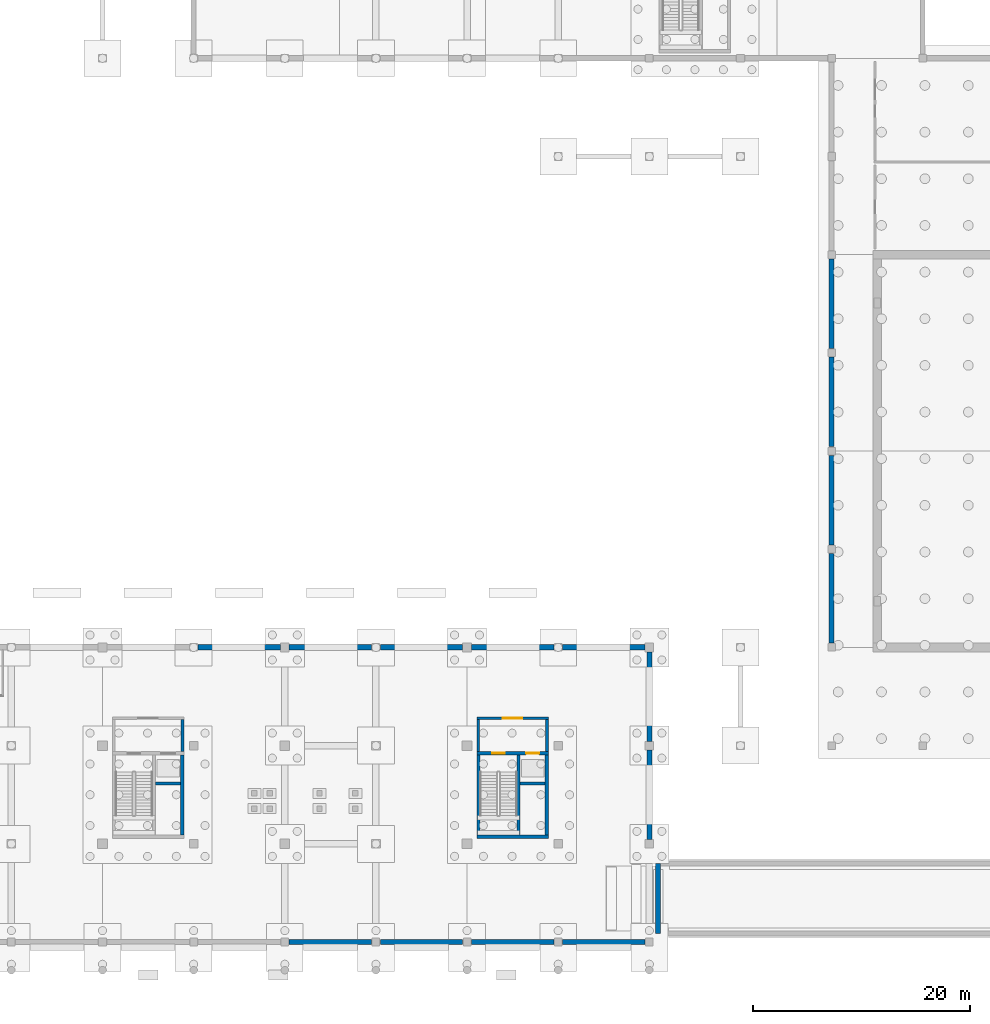
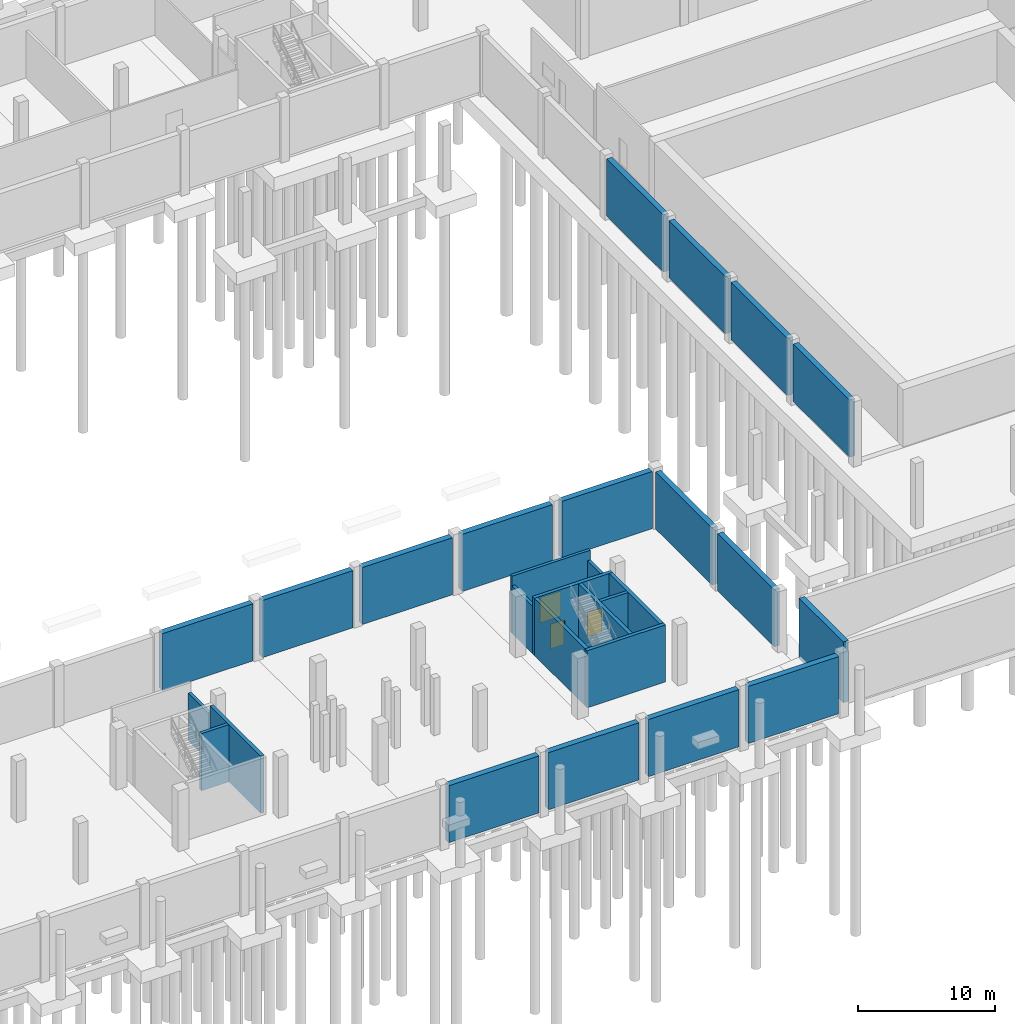
# One storey, part 8 of 18: 28 walls, 3 doors, 3 openings.
"""IFC4 building model written with IfcOpenShell, lengths in metres."""

from ifc_helpers import new_model, si_unit, direction, frame, frame_2d, origin, place, context, subcontext, project, spatial, rectangle, extrude, material, layer, layer_set, type_object, element, fill, save


model = new_model("IFC4")

# Units and contexts
model_context = context("Model", 3, precision=1e-05, world=origin(), true_north=direction((0.0, 1.0)))
body_context = subcontext(model_context, "Body", "Model", "MODEL_VIEW")
ifc_project = project(units=[si_unit("LENGTHUNIT", "METRE"), si_unit("AREAUNIT", "SQUARE_METRE"), si_unit("VOLUMEUNIT", "CUBIC_METRE"), si_unit("PLANEANGLEUNIT", "RADIAN"), si_unit("MASSUNIT", "GRAM", prefix="KILO")], contexts=[model_context])

# Site, building, storey
site_placement = place(None, origin())
site = spatial("IfcSite", under=ifc_project, at=site_placement, CompositionType="ELEMENT")
building_placement = place(site_placement, origin())
building = spatial("IfcBuilding", under=site, at=building_placement, Name="Khurvash Pelagic Aquarium", CompositionType="ELEMENT")
storey_placement = place(building_placement, frame((0.0, 0.0, -5.39990234375)))
storey = spatial("IfcBuildingStorey", under=building, at=storey_placement, Name="B1", CompositionType="ELEMENT", Elevation=-5.39990234375)

# Wall
ifc_material_1 = material(Name="AAC blockwork", Category="masonry")
ifc_layer_1 = layer(ifc_material_1, 0.25)
ifc_layer_set_1 = layer_set([ifc_layer_1], Name="AAC blockwork")
wall_type_1 = type_object("IfcWallType", Name="PW-250", PredefinedType="PARTITIONING", material=ifc_layer_set_1)
wall_1_placement = place(storey_placement, frame((66.175048828125, 20.14990234375, 0.0), z_axis=(0.0, 0.0, 1.0), x_axis=(0.0, 1.0, 0.0)))
element("IfcWall", 1, at=wall_1_placement, inside=storey, type_object=wall_type_1, Name="B1 Core C2 Lobby East Fire Wall PW-250", PredefinedType="PARTITIONING", context=body_context, shape_type="SweptSolid", body=[
    extrude(rectangle(XDim=2.9501953125, YDim=0.25, at=frame_2d((1.47509765625, 0.0))), origin(), (0.0, 0.0, 1.0), 4.22998046875),
])

# Wall, opening, door
wall_2_placement = place(storey_placement, frame((93.300048828125, 23.22509765625, 0.0), z_axis=(0.0, 0.0, 1.0), x_axis=(1.0, 0.0, 0.0)))
wall_2 = element("IfcWall", 2, at=wall_2_placement, inside=storey, type_object=wall_type_1, Name="B1 Core C3 Lobby Front Fire Wall PW-250", PredefinedType="PARTITIONING", context=body_context, shape_type="SweptSolid", body=[
    extrude(rectangle(XDim=6.599853515625, YDim=0.25, at=frame_2d((3.2998046875, 0.0))), origin(), (0.0, 0.0, 1.0), 5.079833984375),
])
opening_1_placement = place(wall_2_placement, frame((2.39990234375, 0.0, 0.0)))
opening_1 = element("IfcOpeningElement", 3, at=opening_1_placement, cuts=wall_2, Name="Opening FD-02", PredefinedType="OPENING", context=body_context, shape_type="SweptSolid", body=[
    extrude(rectangle(XDim=1.800048828125, YDim=2.25, at=frame_2d((0.89990234375, 1.125))), frame((0.0, 0.135009765625, 0.0), z_axis=(0.0, -1.0, 0.0), x_axis=(1.0, 0.0, 0.0)), (0.0, 0.0, 1.0), 0.27001953125),
])
ifc_material_2 = material(Name="Galvanised steel double fire door", Category="steel")
door_type_1 = type_object("IfcDoorType", Name="FD-02", OperationType="DOUBLE_DOOR_SINGLE_SWING", PredefinedType="DOOR", material=ifc_material_2)
door_1_placement = place(opening_1_placement, origin())
door_1 = element("IfcDoor", 4, at=door_1_placement, inside=storey, type_object=door_type_1, Name="DR-0028", OperationType="DOUBLE_DOOR_SINGLE_SWING", OverallHeight=2.25, OverallWidth=1.800048828125, PredefinedType="DOOR", context=body_context, shape_type="SweptSolid", body=[
    extrude(rectangle(XDim=1.800048828125, YDim=2.25, at=frame_2d((0.89990234375, 1.125))), frame((0.0, 0.02490234375, 0.0), z_axis=(0.0, -1.0, 0.0), x_axis=(1.0, 0.0, 0.0)), (0.0, 0.0, 1.0), 0.050048828125),
])
fill(opening_1, door_1)

# Walls
for number, where, z_axis, x_axis, name in (
    (5, (93.425048828125, 20.14990234375, 0.0), (0.0, 0.0, 1.0), (0.0, 1.0, 0.0), "B1 Core C3 Lobby West Fire Wall PW-250"),
    (6, (99.77490234375, 20.14990234375, 0.0), (0.0, 0.0, 1.0), (0.0, 1.0, 0.0), "B1 Core C3 Lobby East Fire Wall PW-250"),
):
    element("IfcWall", number, at=place(storey_placement, frame(where, z_axis=z_axis, x_axis=x_axis)), inside=storey, type_object=wall_type_1, Name=name, PredefinedType="PARTITIONING", context=body_context, shape_type="SweptSolid", body=[
        extrude(rectangle(XDim=2.9501953125, YDim=0.25, at=frame_2d((1.47509765625, 0.0))), origin(), (0.0, 0.0, 1.0), 4.22998046875),
    ])
ifc_material_3 = material(Name="Concrete C40/50", Category="concrete")
ifc_layer_2 = layer(ifc_material_3, 0.449951171875)
ifc_layer_set_2 = layer_set([ifc_layer_2], Name="Concrete C40/50")
wall_type_2 = type_object("IfcWallType", Name="RW-450", PredefinedType="USERDEFINED", material=ifc_layer_set_2)
for number, where, z_axis, x_axis, name in (
    (7, (109.199951171875, 29.35009765625, 0.0), (0.0, 0.0, 1.0), (0.0, -1.0, 0.0), "B1 Perimeter Waterproofed Retaining Wall RW-450"),
    (8, (109.199951171875, 20.300048828125, 0.0), (0.0, 0.0, 1.0), (0.0, -1.0, 0.0), "B1 Perimeter Waterproofed Retaining Wall RW-450"),
    (9, (126.0, 30.14990234375, 0.0), (0.0, 0.0, 1.0), (0.0, 1.0, 0.0), "B1 Perimeter Waterproofed Retaining Wall RW-450"),
    (10, (126.0, 39.199951171875, 0.0), (0.0, 0.0, 1.0), (0.0, 1.0, 0.0), "B1 Perimeter Waterproofed Retaining Wall RW-450"),
    (11, (126.0, 48.25, 0.0), (0.0, 0.0, 1.0), (0.0, 1.0, 0.0), "B1 Perimeter Waterproofed Retaining Wall RW-450"),
    (12, (126.0, 57.300048828125, 0.0), (0.0, 0.0, 1.0), (0.0, 1.0, 0.0), "B1 Perimeter Waterproofed Retaining Wall RW-450"),
):
    element("IfcWall", number, at=place(storey_placement, frame(where, z_axis=z_axis, x_axis=x_axis)), inside=storey, type_object=wall_type_2, Name=name, ObjectType="RETAINING WALL", PredefinedType="USERDEFINED", context=body_context, shape_type="SweptSolid", body=[
        extrude(rectangle(XDim=8.25, YDim=0.449951171875, at=frame_2d((4.125, 0.0))), origin(), (0.0, 0.0, 1.0), 5.079833984375),
    ])
wall_3_placement = place(storey_placement, frame((110.010009765625, 3.3798828125, 0.0), z_axis=(0.0, 0.0, 1.0), x_axis=(0.0, 1.0, 0.0)))
element("IfcWall", 13, at=wall_3_placement, inside=storey, type_object=wall_type_2, Name="B1 Ramp Throat End Wall RW-450", ObjectType="RETAINING WALL", PredefinedType="USERDEFINED", context=body_context, shape_type="SweptSolid", body=[
    extrude(rectangle(XDim=6.440185546875, YDim=0.449951171875, at=frame_2d((3.22021484375, 0.0))), origin(), (0.0, 0.0, 1.0), 5.39990234375),
])
ifc_material_4 = material(Name="Water-retaining concrete C40/50", Category="concrete")
ifc_layer_3 = layer(ifc_material_4, 0.5)
ifc_layer_set_3 = layer_set([ifc_layer_3], Name="Water-retaining concrete C40/50")
wall_type_3 = type_object("IfcWallType", Name="RW-500", PredefinedType="USERDEFINED", material=ifc_layer_set_3)
wall_4_placement = place(storey_placement, frame((108.800048828125, 2.60009765625, 0.0), z_axis=(0.0, 0.0, 1.0), x_axis=(-1.0, 0.0, 0.0)))
element("IfcWall", 14, at=wall_4_placement, inside=storey, type_object=wall_type_3, Name="B1 Perimeter Waterproofed Retaining Wall RW-500", ObjectType="RETAINING WALL", PredefinedType="USERDEFINED", context=body_context, shape_type="SweptSolid", body=[
    extrude(rectangle(XDim=7.60009765625, YDim=0.5, at=frame_2d((3.800048828125, 0.0))), origin(), (0.0, 0.0, 1.0), 5.079833984375),
])
wall_5_placement = place(storey_placement, frame((100.39990234375, 2.60009765625, 0.0), z_axis=(0.0, 0.0, 1.0), x_axis=(-1.0, 0.0, 0.0)))
element("IfcWall", 15, at=wall_5_placement, inside=storey, type_object=wall_type_3, Name="B1 Perimeter Waterproofed Retaining Wall RW-500", ObjectType="RETAINING WALL", PredefinedType="USERDEFINED", context=body_context, shape_type="SweptSolid", body=[
    extrude(rectangle(XDim=7.599853515625, YDim=0.5, at=frame_2d((3.7998046875, 0.0))), origin(), (0.0, 0.0, 1.0), 5.079833984375),
])
for number, where, z_axis, x_axis, name in (
    (16, (92.0, 2.60009765625, 0.0), (0.0, 0.0, 1.0), (-1.0, 0.0, 0.0), "B1 Perimeter Waterproofed Retaining Wall RW-500"),
    (17, (83.60009765625, 2.60009765625, 0.0), (0.0, 0.0, 1.0), (-1.0, 0.0, 0.0), "B1 Perimeter Waterproofed Retaining Wall RW-500"),
):
    element("IfcWall", number, at=place(storey_placement, frame(where, z_axis=z_axis, x_axis=x_axis)), inside=storey, type_object=wall_type_3, Name=name, ObjectType="RETAINING WALL", PredefinedType="USERDEFINED", context=body_context, shape_type="SweptSolid", body=[
        extrude(rectangle(XDim=7.60009765625, YDim=0.5, at=frame_2d((3.800048828125, 0.0))), origin(), (0.0, 0.0, 1.0), 5.079833984375),
    ])
wall_6_placement = place(storey_placement, frame((67.60009765625, 29.75, 0.0), z_axis=(0.0, 0.0, 1.0), x_axis=(1.0, 0.0, 0.0)))
element("IfcWall", 18, at=wall_6_placement, inside=storey, type_object=wall_type_3, Name="B1 Perimeter Waterproofed Retaining Wall RW-500", ObjectType="RETAINING WALL", PredefinedType="USERDEFINED", context=body_context, shape_type="SweptSolid", body=[
    extrude(rectangle(XDim=7.599853515625, YDim=0.5, at=frame_2d((3.7998046875, 0.0))), origin(), (0.0, 0.0, 1.0), 5.079833984375),
])
for number, where, z_axis, x_axis, name in (
    (19, (76.0, 29.75, 0.0), (0.0, 0.0, 1.0), (1.0, 0.0, 0.0), "B1 Perimeter Waterproofed Retaining Wall RW-500"),
    (20, (84.39990234375, 29.75, 0.0), (0.0, 0.0, 1.0), (1.0, 0.0, 0.0), "B1 Perimeter Waterproofed Retaining Wall RW-500"),
):
    element("IfcWall", number, at=place(storey_placement, frame(where, z_axis=z_axis, x_axis=x_axis)), inside=storey, type_object=wall_type_3, Name=name, ObjectType="RETAINING WALL", PredefinedType="USERDEFINED", context=body_context, shape_type="SweptSolid", body=[
        extrude(rectangle(XDim=7.60009765625, YDim=0.5, at=frame_2d((3.800048828125, 0.0))), origin(), (0.0, 0.0, 1.0), 5.079833984375),
    ])
wall_7_placement = place(storey_placement, frame((92.800048828125, 29.75, 0.0), z_axis=(0.0, 0.0, 1.0), x_axis=(1.0, 0.0, 0.0)))
element("IfcWall", 21, at=wall_7_placement, inside=storey, type_object=wall_type_3, Name="B1 Perimeter Waterproofed Retaining Wall RW-500", ObjectType="RETAINING WALL", PredefinedType="USERDEFINED", context=body_context, shape_type="SweptSolid", body=[
    extrude(rectangle(XDim=7.599853515625, YDim=0.5, at=frame_2d((3.7998046875, 0.0))), origin(), (0.0, 0.0, 1.0), 5.079833984375),
])
wall_8_placement = place(storey_placement, frame((101.199951171875, 29.75, 0.0), z_axis=(0.0, 0.0, 1.0), x_axis=(1.0, 0.0, 0.0)))
element("IfcWall", 22, at=wall_8_placement, inside=storey, type_object=wall_type_3, Name="B1 Perimeter Waterproofed Retaining Wall RW-500", ObjectType="RETAINING WALL", PredefinedType="USERDEFINED", context=body_context, shape_type="SweptSolid", body=[
    extrude(rectangle(XDim=7.60009765625, YDim=0.5, at=frame_2d((3.800048828125, 0.0))), origin(), (0.0, 0.0, 1.0), 5.079833984375),
])
ifc_layer_4 = layer(ifc_material_3, 0.27490234375)
ifc_layer_set_4 = layer_set([ifc_layer_4], Name="Concrete C40/50")
wall_type_4 = type_object("IfcWallType", Name="SW-275", PredefinedType="SHEAR", material=ifc_layer_set_4)
for number, where, z_axis, x_axis, name in (
    (23, (63.699951171875, 17.212890625, 0.0), (0.0, 0.0, 1.0), (1.0, 0.0, 0.0), "B1 Lift PL-01 Shaft Rear Shear Wall SW-275"),
    (24, (97.300048828125, 17.212890625, 0.0), (0.0, 0.0, 1.0), (1.0, 0.0, 0.0), "B1 Lift FL-02 Shaft Rear Shear Wall SW-275"),
):
    element("IfcWall", number, at=place(storey_placement, frame(where, z_axis=z_axis, x_axis=x_axis)), inside=storey, type_object=wall_type_4, Name=name, PredefinedType="SHEAR", context=body_context, shape_type="SweptSolid", body=[
        extrude(rectangle(XDim=2.300048828125, YDim=0.27490234375, at=frame_2d((1.14990234375, 0.0))), origin(), (0.0, 0.0, 1.0), 5.079833984375),
    ])
ifc_layer_5 = layer(ifc_material_3, 0.300048828125)
ifc_layer_set_5 = layer_set([ifc_layer_5], Name="Concrete C40/50")
wall_type_5 = type_object("IfcWallType", Name="SW-300", PredefinedType="SHEAR", material=ifc_layer_set_5)
wall_9_placement = place(storey_placement, frame((66.14990234375, 12.449951171875, 0.0), z_axis=(0.0, 0.0, 1.0), x_axis=(0.0, 1.0, 0.0)))
element("IfcWall", 25, at=wall_9_placement, inside=storey, type_object=wall_type_5, Name="B1 Core C2 East Shear Wall SW-300", PredefinedType="SHEAR", context=body_context, shape_type="SweptSolid", body=[
    extrude(rectangle(XDim=7.400146484375, YDim=0.300048828125, at=frame_2d((3.7001953125, 0.0))), origin(), (0.0, 0.0, 1.0), 5.079833984375),
])
wall_10_placement = place(storey_placement, frame((93.300048828125, 12.300048828125, 0.0), z_axis=(0.0, 0.0, 1.0), x_axis=(1.0, 0.0, 0.0)))
element("IfcWall", 26, at=wall_10_placement, inside=storey, type_object=wall_type_5, Name="B1 Core C3 South Shear Wall SW-300", PredefinedType="SHEAR", context=body_context, shape_type="SweptSolid", body=[
    extrude(rectangle(XDim=6.599853515625, YDim=0.300048828125, at=frame_2d((3.2998046875, 0.0))), origin(), (0.0, 0.0, 1.0), 5.079833984375),
])

# Wall, openings, doors
wall_11_placement = place(storey_placement, frame((93.300048828125, 20.0, 0.0), z_axis=(0.0, 0.0, 1.0), x_axis=(1.0, 0.0, 0.0)))
wall_11 = element("IfcWall", 27, at=wall_11_placement, inside=storey, type_object=wall_type_5, Name="B1 Core C3 North Shear Wall SW-300", PredefinedType="SHEAR", context=body_context, shape_type="SweptSolid", body=[
    extrude(rectangle(XDim=6.599853515625, YDim=0.300048828125, at=frame_2d((3.2998046875, 0.0))), origin(), (0.0, 0.0, 1.0), 5.079833984375),
])
opening_2_placement = place(wall_11_placement, frame((1.425048828125, 0.0, 0.0)))
opening_2 = element("IfcOpeningElement", 28, at=opening_2_placement, cuts=wall_11, Name="Opening FD-01", PredefinedType="OPENING", context=body_context, shape_type="SweptSolid", body=[
    extrude(rectangle(XDim=1.14990234375, YDim=2.199951171875, at=frame_2d((0.574951171875, 1.10009765625))), frame((0.0, 0.16015625, 0.0), z_axis=(0.0, -1.0, 0.0), x_axis=(1.0, 0.0, 0.0)), (0.0, 0.0, 1.0), 0.320068359375),
])
opening_3_placement = place(wall_11_placement, frame((4.550048828125, 0.0, 0.0)))
opening_3 = element("IfcOpeningElement", 29, at=opening_3_placement, cuts=wall_11, Name="Opening LD-01", PredefinedType="OPENING", context=body_context, shape_type="SweptSolid", body=[
    extrude(rectangle(XDim=1.199951171875, YDim=2.14990234375, at=frame_2d((0.60009765625, 1.074951171875))), frame((0.0, 0.16015625, 0.0), z_axis=(0.0, -1.0, 0.0), x_axis=(1.0, 0.0, 0.0)), (0.0, 0.0, 1.0), 0.320068359375),
])
ifc_material_5 = material(Name="Galvanised steel fire door", Category="steel")
door_type_2 = type_object("IfcDoorType", Name="FD-01", OperationType="NOTDEFINED", PredefinedType="DOOR", material=ifc_material_5)
door_2_placement = place(opening_2_placement, frame((1.14990234375, 0.0, 0.0), z_axis=(0.0, 0.0, 1.0), x_axis=(-1.0, 0.0, 0.0)))
door_2 = element("IfcDoor", 30, at=door_2_placement, inside=storey, type_object=door_type_2, Name="DR-0003", OperationType="SINGLE_SWING_LEFT", OverallHeight=2.199951171875, OverallWidth=1.14990234375, PredefinedType="DOOR", context=body_context, shape_type="SweptSolid", body=[
    extrude(rectangle(XDim=1.14990234375, YDim=2.199951171875, at=frame_2d((0.574951171875, 1.10009765625))), frame((0.0, 0.02490234375, 0.0), z_axis=(0.0, -1.0, 0.0), x_axis=(1.0, 0.0, 0.0)), (0.0, 0.0, 1.0), 0.050048828125),
])
fill(opening_2, door_2)
ifc_material_6 = material(Name="Brushed stainless steel 316 lift landing door", Category="steel")
door_type_3 = type_object("IfcDoorType", Name="LD-01", OperationType="DOUBLE_DOOR_SLIDING", PredefinedType="DOOR", material=ifc_material_6)
door_3_placement = place(opening_3_placement, origin())
door_3 = element("IfcDoor", 31, at=door_3_placement, inside=storey, type_object=door_type_3, Name="DR-0009", OperationType="DOUBLE_DOOR_SLIDING", OverallHeight=2.14990234375, OverallWidth=1.199951171875, PredefinedType="DOOR", context=body_context, shape_type="SweptSolid", body=[
    extrude(rectangle(XDim=1.199951171875, YDim=2.14990234375, at=frame_2d((0.60009765625, 1.074951171875))), frame((0.0, 0.02490234375, 0.0), z_axis=(0.0, -1.0, 0.0), x_axis=(1.0, 0.0, 0.0)), (0.0, 0.0, 1.0), 0.050048828125),
])
fill(opening_3, door_3)

# Walls
for number, where, z_axis, x_axis, name in (
    (32, (93.449951171875, 12.449951171875, 0.0), (0.0, 0.0, 1.0), (0.0, 1.0, 0.0), "B1 Core C3 West Shear Wall SW-300"),
    (33, (99.75, 12.449951171875, 0.0), (0.0, 0.0, 1.0), (0.0, 1.0, 0.0), "B1 Core C3 East Shear Wall SW-300"),
    (34, (97.14990234375, 12.449951171875, 0.0), (0.0, 0.0, 1.0), (0.0, 1.0, 0.0), "B1 Core C3 Divider Shear Wall SW-300"),
):
    element("IfcWall", number, at=place(storey_placement, frame(where, z_axis=z_axis, x_axis=x_axis)), inside=storey, type_object=wall_type_5, Name=name, PredefinedType="SHEAR", context=body_context, shape_type="SweptSolid", body=[
        extrude(rectangle(XDim=7.400146484375, YDim=0.300048828125, at=frame_2d((3.7001953125, 0.0))), origin(), (0.0, 0.0, 1.0), 5.079833984375),
    ])

save(model, "model.ifc")
